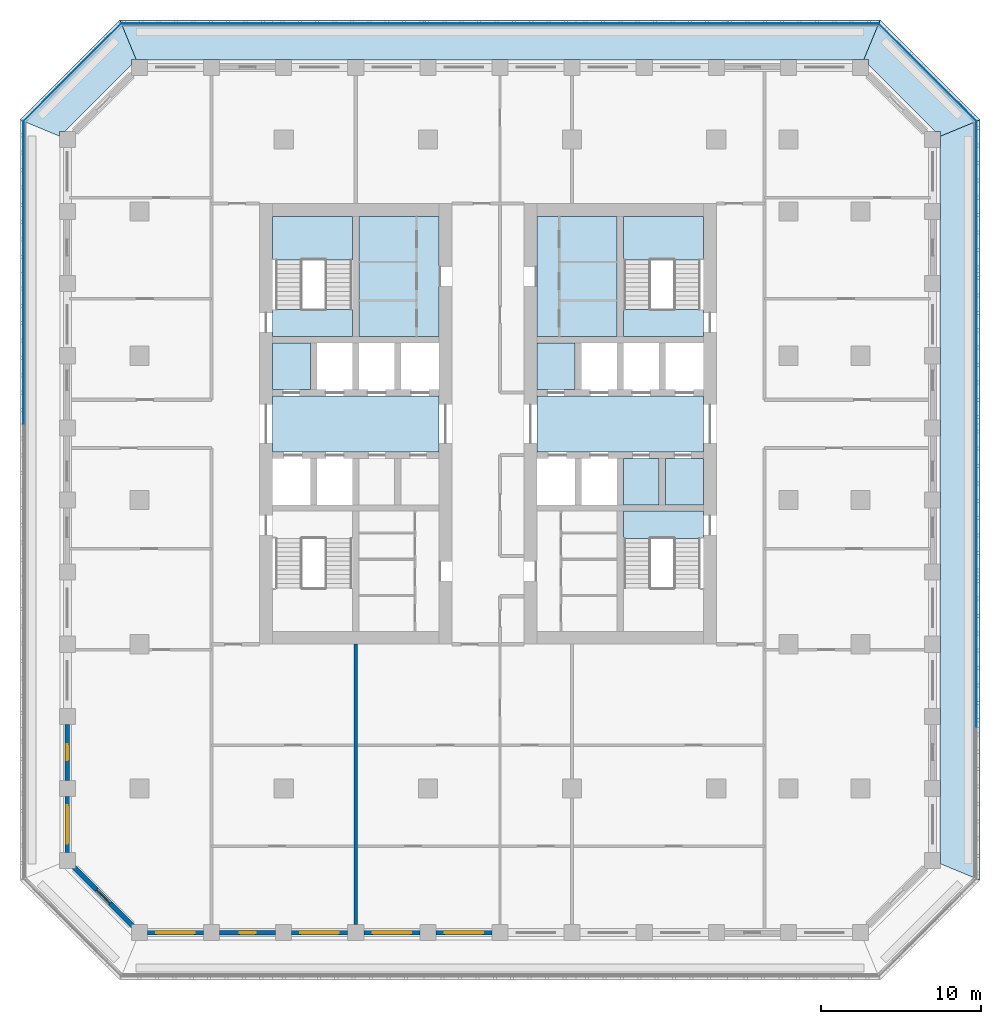
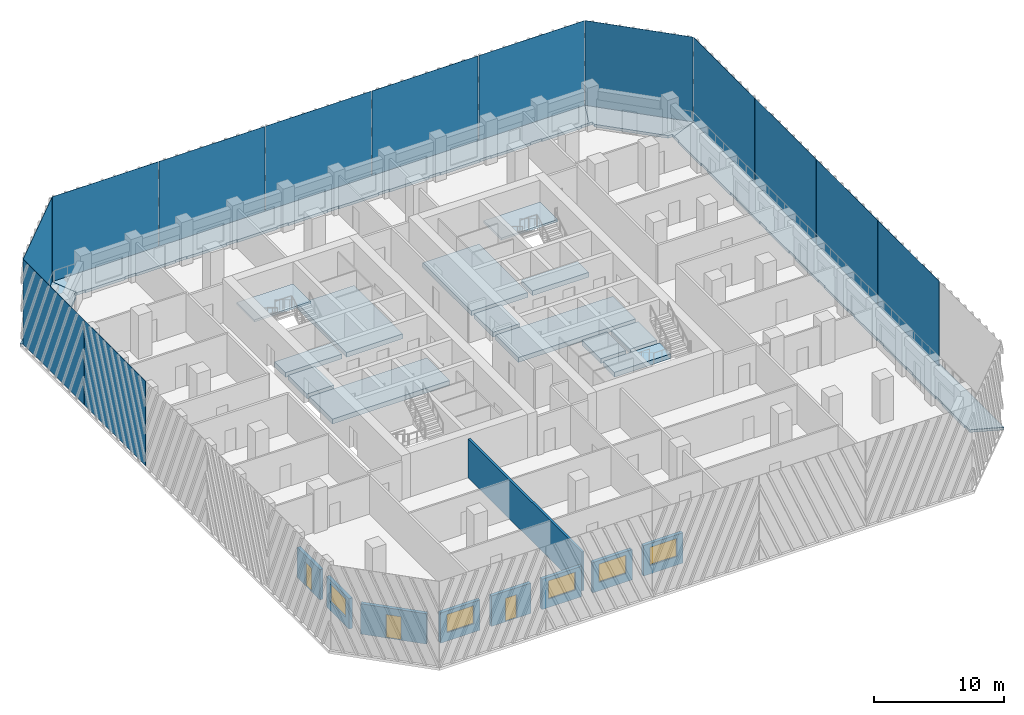
# One storey, part 2 of 17: 17 slabs, 13 plates, 9 walls, 5 windows, 3 doors, 8 openings, 2 elements without a shape of their own.
"""IFC4 building model written with IfcOpenShell, lengths in metres."""

from ifc_helpers import new_model, si_unit, direction, frame, frame_2d, origin, origin_2d, place, context, subcontext, project, spatial, polyline, rectangle, outline, extrude, material, layer, layer_set, type_object, element, fill, aggregate, save


model = new_model("IFC4")

# Units and contexts
model_context = context("Model", 3, precision=1e-05, world=origin(), true_north=direction((0.0, 1.0)))
body_context = subcontext(model_context, "Body", "Model", "MODEL_VIEW")
ifc_project = project(units=[si_unit("LENGTHUNIT", "METRE"), si_unit("AREAUNIT", "SQUARE_METRE"), si_unit("VOLUMEUNIT", "CUBIC_METRE"), si_unit("PLANEANGLEUNIT", "RADIAN"), si_unit("MASSUNIT", "GRAM", prefix="KILO")], contexts=[model_context])

# Site, building, storey
site_placement = place(None, origin())
site = spatial("IfcSite", under=ifc_project, at=site_placement, CompositionType="ELEMENT")
building_placement = place(site_placement, origin())
building = spatial("IfcBuilding", under=site, at=building_placement, Name="Corbel Stack Research Tower", CompositionType="ELEMENT")
storey_placement = place(building_placement, frame((0.0, 0.0, 207.89990234375)))
storey = spatial("IfcBuildingStorey", under=building, at=storey_placement, Name="L47", CompositionType="ELEMENT", Elevation=207.89990234375)

# Plates
ifc_material_1 = material(Name="Fritted glass", Category="glass")
ifc_layer_1 = layer(ifc_material_1, 0.02490234375)
ifc_layer_set_1 = layer_set([ifc_layer_1], Name="Fritted glass")
plate_type = type_object("IfcPlateType", Name="Fritted glass panel 25", PredefinedType="SHEET", material=ifc_layer_set_1)
for number, where, z_axis, x_axis, name in (
    (1, (34.237548828125, -9.45556640625, 0.0), (0.0, 0.0, 1.0), (0.0, 1.0, 0.0), "Fritted glass L47 E2"),
    (2, (34.237548828125, 0.0, 0.0), (0.0, 0.0, 1.0), (0.0, 1.0, 0.0), "Fritted glass L47 E3"),
    (3, (34.237548828125, 9.45556640625, 0.0), (0.0, 0.0, 1.0), (0.0, 1.0, 0.0), "Fritted glass L47 E4"),
    (4, (34.237548828125, 18.911376953125, 0.0), (0.0, 0.0, 1.0), (0.0, 1.0, 0.0), "Fritted glass L47 E5"),
):
    element("IfcPlate", number, at=place(storey_placement, frame(where, z_axis=z_axis, x_axis=x_axis)), inside=storey, type_object=plate_type, Name=name, PredefinedType="SHEET", context=body_context, shape_type="SweptSolid", body=[
        extrude(rectangle(XDim=9.3955078125, YDim=0.02490234375, at=origin_2d()), origin(), (0.0, 0.0, 1.0), 7.949951171875),
    ])
plate_1_placement = place(storey_placement, frame((31.185791015625, 26.685791015625, 0.0), z_axis=(0.0, 0.0, 1.0), x_axis=(-0.707106781187, 0.707106781187, 0.0)))
element("IfcPlate", 5, at=plate_1_placement, inside=storey, type_object=plate_type, Name="Fritted glass L47 NE1", PredefinedType="SHEET", context=body_context, shape_type="SweptSolid", body=[
    extrude(rectangle(XDim=8.58203125, YDim=0.02490234375, at=origin_2d()), origin(), (0.0, 0.0, 1.0), 7.949951171875),
])
for number, where, z_axis, x_axis, name in (
    (6, (23.411376953125, 29.737548828125, 0.0), (0.0, 0.0, 1.0), (-1.0, 0.0, 0.0), "Fritted glass L47 N1"),
    (7, (13.95556640625, 29.737548828125, 0.0), (0.0, 0.0, 1.0), (-1.0, 0.0, 0.0), "Fritted glass L47 N2"),
    (8, (4.5, 29.737548828125, 0.0), (0.0, 0.0, 1.0), (-1.0, 0.0, 0.0), "Fritted glass L47 N3"),
    (9, (-4.95556640625, 29.737548828125, 0.0), (0.0, 0.0, 1.0), (-1.0, 0.0, 0.0), "Fritted glass L47 N4"),
    (10, (-14.411376953125, 29.737548828125, 0.0), (0.0, 0.0, 1.0), (-1.0, 0.0, 0.0), "Fritted glass L47 N5"),
):
    element("IfcPlate", number, at=place(storey_placement, frame(where, z_axis=z_axis, x_axis=x_axis)), inside=storey, type_object=plate_type, Name=name, PredefinedType="SHEET", context=body_context, shape_type="SweptSolid", body=[
        extrude(rectangle(XDim=9.3955078125, YDim=0.02490234375, at=origin_2d()), origin(), (0.0, 0.0, 1.0), 7.949951171875),
    ])
plate_2_placement = place(storey_placement, frame((-22.185791015625, 26.685791015625, 0.0), z_axis=(0.0, 0.0, 1.0), x_axis=(-0.707106781187, -0.707106781187, 0.0)))
element("IfcPlate", 11, at=plate_2_placement, inside=storey, type_object=plate_type, Name="Fritted glass L47 NW1", PredefinedType="SHEET", context=body_context, shape_type="SweptSolid", body=[
    extrude(rectangle(XDim=8.58203125, YDim=0.02490234375, at=origin_2d()), origin(), (0.0, 0.0, 1.0), 7.949951171875),
])
for number, where, z_axis, x_axis, name in (
    (12, (-25.237548828125, 18.911376953125, 0.0), (0.0, 0.0, 1.0), (0.0, -1.0, 0.0), "Fritted glass L47 W1"),
    (13, (-25.237548828125, 9.45556640625, 0.0), (0.0, 0.0, 1.0), (0.0, -1.0, 0.0), "Fritted glass L47 W2"),
):
    element("IfcPlate", number, at=place(storey_placement, frame(where, z_axis=z_axis, x_axis=x_axis)), inside=storey, type_object=plate_type, Name=name, PredefinedType="SHEET", context=body_context, shape_type="SweptSolid", body=[
        extrude(rectangle(XDim=9.3955078125, YDim=0.02490234375, at=origin_2d()), origin(), (0.0, 0.0, 1.0), 7.949951171875),
    ])

# Slabs
ifc_material_2 = material(Name="Concrete C45/55", Category="concrete")
ifc_layer_2 = layer(ifc_material_2, 0.25)
ifc_layer_set_2 = layer_set([ifc_layer_2], Name="Concrete C45/55")
slab_type_1 = type_object("IfcSlabType", Name="PT balcony slab 250 C45/55", PredefinedType="FLOOR", material=ifc_layer_set_2)
slab_1_placement = place(storey_placement, frame((0.0, 0.0, -0.25)))
element("IfcSlab", 14, at=slab_1_placement, inside=storey, type_object=slab_type_1, Name="Loggia slab L47 E", PredefinedType="FLOOR", context=body_context, shape_type="SweptSolid", body=[
    extrude(outline(polyline([(32.0, 22.70703125), (32.0, 22.0), (31.949951171875, 22.0), (31.949951171875, 18.5), (32.0, 18.5), (32.0, 17.5), (31.949951171875, 17.5), (31.949951171875, 14.0), (32.0, 14.0), (32.0, 13.0), (31.949951171875, 13.0), (31.949951171875, 9.5), (32.0, 9.5), (32.0, 8.5), (31.949951171875, 8.5), (31.949951171875, 5.0), (32.0, 5.0), (32.0, 4.0), (31.949951171875, 4.0), (31.949951171875, 0.5), (32.0, 0.5), (32.0, -0.5), (31.949951171875, -0.5), (31.949951171875, -4.0), (32.0, -4.0), (32.0, -5.0), (31.949951171875, -5.0), (31.949951171875, -8.5), (32.0, -8.5), (32.0, -9.5), (31.949951171875, -9.5), (31.949951171875, -13.0), (32.0, -13.0), (32.0, -14.0), (31.949951171875, -14.0), (31.949951171875, -17.5), (32.0, -17.5), (32.0, -18.5), (31.949951171875, -18.5), (31.949951171875, -22.0), (32.0, -22.0), (32.0, -22.70703125), (34.449951171875, -23.721923828125), (34.449951171875, 23.721923828125), (32.0, 22.70703125)])), origin(), (0.0, 0.0, 1.0), 0.25),
])
slab_2_placement = place(storey_placement, frame((0.0, 0.0, -0.25)))
element("IfcSlab", 15, at=slab_2_placement, inside=storey, type_object=slab_type_1, Name="Loggia slab L47 NE", PredefinedType="FLOOR", context=body_context, shape_type="SweptSolid", body=[
    extrude(outline(polyline([(27.20703125, 27.5), (27.5, 27.5), (27.5, 27.136474609375), (31.636474609375, 23.0), (32.0, 23.0), (32.0, 22.70703125), (34.449951171875, 23.721923828125), (28.221923828125, 29.949951171875), (27.20703125, 27.5)])), origin(), (0.0, 0.0, 1.0), 0.25),
])
slab_3_placement = place(storey_placement, frame((0.0, 0.0, -0.25)))
element("IfcSlab", 16, at=slab_3_placement, inside=storey, type_object=slab_type_1, Name="Loggia slab L47 N", PredefinedType="FLOOR", context=body_context, shape_type="SweptSolid", body=[
    extrude(outline(polyline([(-18.20703125, 27.5), (-17.5, 27.5), (-17.5, 27.449951171875), (-14.0, 27.449951171875), (-14.0, 27.5), (-13.0, 27.5), (-13.0, 27.449951171875), (-9.5, 27.449951171875), (-9.5, 27.5), (-8.5, 27.5), (-8.5, 27.449951171875), (-5.0, 27.449951171875), (-5.0, 27.5), (-4.0, 27.5), (-4.0, 27.449951171875), (-0.5, 27.449951171875), (-0.5, 27.5), (0.5, 27.5), (0.5, 27.449951171875), (4.0, 27.449951171875), (4.0, 27.5), (5.0, 27.5), (5.0, 27.449951171875), (8.5, 27.449951171875), (8.5, 27.5), (9.5, 27.5), (9.5, 27.449951171875), (13.0, 27.449951171875), (13.0, 27.5), (14.0, 27.5), (14.0, 27.449951171875), (17.5, 27.449951171875), (17.5, 27.5), (18.5, 27.5), (18.5, 27.449951171875), (22.0, 27.449951171875), (22.0, 27.5), (23.0, 27.5), (23.0, 27.449951171875), (26.5, 27.449951171875), (26.5, 27.5), (27.20703125, 27.5), (28.221923828125, 29.949951171875), (-19.221923828125, 29.949951171875), (-18.20703125, 27.5)])), origin(), (0.0, 0.0, 1.0), 0.25),
])
slab_4_placement = place(storey_placement, frame((0.0, 0.0, -0.25)))
element("IfcSlab", 17, at=slab_4_placement, inside=storey, type_object=slab_type_1, Name="Loggia slab L47 NW", PredefinedType="FLOOR", context=body_context, shape_type="SweptSolid", body=[
    extrude(outline(polyline([(-23.0, 22.70703125), (-23.0, 23.0), (-22.636474609375, 23.0), (-18.5, 27.136474609375), (-18.5, 27.5), (-18.20703125, 27.5), (-19.221923828125, 29.949951171875), (-25.449951171875, 23.721923828125), (-23.0, 22.70703125)])), origin(), (0.0, 0.0, 1.0), 0.25),
])
ifc_material_3 = material(Name="Concrete C45/55", Category="concrete")
ifc_layer_3 = layer(ifc_material_3, 0.449951171875)
ifc_layer_set_3 = layer_set([ifc_layer_3], Name="Concrete C45/55")
slab_type_2 = type_object("IfcSlabType", Name="PT-450", PredefinedType="FLOOR", material=ifc_layer_set_3)
slab_5_placement = place(storey_placement, frame((0.0, 0.0, -0.449951171875)))
element("IfcSlab", 18, at=slab_5_placement, inside=storey, type_object=slab_type_2, Name="West core floor L47", PredefinedType="FLOOR", context=body_context, shape_type="SweptSolid", body=[
    extrude(outline(polyline([(0.699951171875, 6.5), (-9.699951171875, 6.5), (-9.699951171875, 3.0), (0.699951171875, 3.0), (0.699951171875, 6.5)])), origin(), (0.0, 0.0, 1.0), 0.449951171875),
])
slab_6_placement = place(storey_placement, frame((0.0, 0.0, -0.449951171875)))
element("IfcSlab", 19, at=slab_6_placement, inside=storey, type_object=slab_type_2, Name="West core floor L47", PredefinedType="FLOOR", context=body_context, shape_type="SweptSolid", body=[
    extrude(outline(polyline([(-9.699951171875, 6.89990234375), (-7.324951171875, 6.89990234375), (-7.324951171875, 9.800048828125), (-9.699951171875, 9.800048828125), (-9.699951171875, 6.89990234375)])), origin(), (0.0, 0.0, 1.0), 0.449951171875),
])
slab_7_placement = place(storey_placement, frame((0.0, 0.0, -0.449951171875)))
element("IfcSlab", 20, at=slab_7_placement, inside=storey, type_object=slab_type_2, Name="West core floor L47", PredefinedType="FLOOR", context=body_context, shape_type="SweptSolid", body=[
    extrude(outline(polyline([(0.699951171875, 17.699951171875), (-4.300048828125, 17.699951171875), (-4.300048828125, 10.199951171875), (0.699951171875, 10.199951171875), (0.699951171875, 17.699951171875)])), origin(), (0.0, 0.0, 1.0), 0.449951171875),
])
slab_8_placement = place(storey_placement, frame((0.0, 0.0, -0.449951171875)))
element("IfcSlab", 21, at=slab_8_placement, inside=storey, type_object=slab_type_2, Name="East core floor L47", PredefinedType="FLOOR", context=body_context, shape_type="SweptSolid", body=[
    extrude(outline(polyline([(17.199951171875, 6.5), (6.800048828125, 6.5), (6.800048828125, 3.0), (17.199951171875, 3.0), (17.199951171875, 6.5)])), origin(), (0.0, 0.0, 1.0), 0.449951171875),
])
slab_9_placement = place(storey_placement, frame((0.0, 0.0, -0.449951171875)))
element("IfcSlab", 22, at=slab_9_placement, inside=storey, type_object=slab_type_2, Name="East core floor L47", PredefinedType="FLOOR", context=body_context, shape_type="SweptSolid", body=[
    extrude(outline(polyline([(6.800048828125, 6.89990234375), (9.175048828125, 6.89990234375), (9.175048828125, 9.800048828125), (6.800048828125, 9.800048828125), (6.800048828125, 6.89990234375)])), origin(), (0.0, 0.0, 1.0), 0.449951171875),
])
slab_10_placement = place(storey_placement, frame((0.0, 0.0, -0.449951171875)))
element("IfcSlab", 23, at=slab_10_placement, inside=storey, type_object=slab_type_2, Name="East core floor L47", PredefinedType="FLOOR", context=body_context, shape_type="SweptSolid", body=[
    extrude(outline(polyline([(6.800048828125, 17.699951171875), (6.800048828125, 10.199951171875), (11.800048828125, 10.199951171875), (11.800048828125, 17.699951171875), (6.800048828125, 17.699951171875)])), origin(), (0.0, 0.0, 1.0), 0.449951171875),
])
slab_11_placement = place(storey_placement, frame((0.0, 0.0, -0.449951171875)))
element("IfcSlab", 24, at=slab_11_placement, inside=storey, type_object=slab_type_2, Name="East core floor L47", PredefinedType="FLOOR", context=body_context, shape_type="SweptSolid", body=[
    extrude(outline(polyline([(14.425048828125, -0.300048828125), (14.425048828125, 2.60009765625), (12.199951171875, 2.60009765625), (12.199951171875, -0.300048828125), (14.425048828125, -0.300048828125)])), origin(), (0.0, 0.0, 1.0), 0.449951171875),
])
slab_12_placement = place(storey_placement, frame((0.0, 0.0, -0.449951171875)))
element("IfcSlab", 25, at=slab_12_placement, inside=storey, type_object=slab_type_2, Name="East core floor L47", PredefinedType="FLOOR", context=body_context, shape_type="SweptSolid", body=[
    extrude(outline(polyline([(17.199951171875, -0.300048828125), (17.199951171875, 2.60009765625), (14.824951171875, 2.60009765625), (14.824951171875, -0.300048828125), (17.199951171875, -0.300048828125)])), origin(), (0.0, 0.0, 1.0), 0.449951171875),
])
slab_13_placement = place(storey_placement, frame((0.0, 0.0, -0.449951171875)))
element("IfcSlab", 26, at=slab_13_placement, inside=storey, type_object=slab_type_2, Name="Stair floor landing ST-W2", PredefinedType="FLOOR", context=body_context, shape_type="SweptSolid", body=[
    extrude(outline(polyline([(-9.699951171875, 10.199951171875), (-4.699951171875, 10.199951171875), (-4.699951171875, 11.89990234375), (-9.699951171875, 11.89990234375), (-9.699951171875, 10.199951171875)])), origin(), (0.0, 0.0, 1.0), 0.449951171875),
])
slab_14_placement = place(storey_placement, frame((0.0, 0.0, -0.449951171875)))
element("IfcSlab", 27, at=slab_14_placement, inside=storey, type_object=slab_type_2, Name="Stair floor landing ST-E1", PredefinedType="FLOOR", context=body_context, shape_type="SweptSolid", body=[
    extrude(outline(polyline([(12.199951171875, -2.39990234375), (17.199951171875, -2.39990234375), (17.199951171875, -0.699951171875), (12.199951171875, -0.699951171875), (12.199951171875, -2.39990234375)])), origin(), (0.0, 0.0, 1.0), 0.449951171875),
])
slab_15_placement = place(storey_placement, frame((0.0, 0.0, -0.449951171875)))
element("IfcSlab", 28, at=slab_15_placement, inside=storey, type_object=slab_type_2, Name="Stair floor landing ST-E2", PredefinedType="FLOOR", context=body_context, shape_type="SweptSolid", body=[
    extrude(outline(polyline([(12.199951171875, 10.199951171875), (17.199951171875, 10.199951171875), (17.199951171875, 11.89990234375), (12.199951171875, 11.89990234375), (12.199951171875, 10.199951171875)])), origin(), (0.0, 0.0, 1.0), 0.449951171875),
])

# Stair, slab
ifc_material_4 = material(Name="Concrete C40/50", Category="concrete")
stair_type = type_object("IfcStairType", Name="Exit stair 24 risers", PredefinedType="HALF_TURN_STAIR", material=ifc_material_4)
stair_1_placement = place(storey_placement, origin())
stair_1 = element("IfcStair", 29, at=stair_1_placement, inside=storey, type_object=stair_type, Name="L47 Exit stair ST-W2", PredefinedType="HALF_TURN_STAIR")
ifc_material_5 = material(Name="Concrete C40/50", Category="concrete")
ifc_layer_4 = layer(ifc_material_5, 0.199951171875)
ifc_layer_set_4 = layer_set([ifc_layer_4], Name="Concrete C40/50")
slab_type_3 = type_object("IfcSlabType", Name="Stair landing 200 C40/50", PredefinedType="LANDING", material=ifc_layer_set_4)
slab_16_placement = place(storey_placement, frame((0.0, 0.0, 1.85009765625)))
slab_16 = element("IfcSlab", 30, at=slab_16_placement, type_object=slab_type_3, Name="ST-W2 landing 1", PredefinedType="LANDING", context=body_context, shape_type="SweptSolid", body=[
    extrude(outline(polyline([(-9.699951171875, 14.97998046875), (-9.699951171875, 17.699951171875), (-4.699951171875, 17.699951171875), (-4.699951171875, 14.97998046875), (-9.699951171875, 14.97998046875)])), origin(), (0.0, 0.0, 1.0), 0.199951171875),
])
aggregate(stair_1, [slab_16])

stair_2_placement = place(storey_placement, origin())
stair_2 = element("IfcStair", 31, at=stair_2_placement, inside=storey, type_object=stair_type, Name="L47 Exit stair ST-E2", PredefinedType="HALF_TURN_STAIR")
slab_17_placement = place(storey_placement, frame((0.0, 0.0, 1.85009765625)))
slab_17 = element("IfcSlab", 32, at=slab_17_placement, type_object=slab_type_3, Name="ST-E2 landing 1", PredefinedType="LANDING", context=body_context, shape_type="SweptSolid", body=[
    extrude(outline(polyline([(12.199951171875, 14.97998046875), (12.199951171875, 17.699951171875), (17.199951171875, 17.699951171875), (17.199951171875, 14.97998046875), (12.199951171875, 14.97998046875)])), origin(), (0.0, 0.0, 1.0), 0.199951171875),
])
aggregate(stair_2, [slab_17])

# Wall
ifc_material_6 = material(Name="Fire-rated gypsum board partition on steel studs", Category="steel")
ifc_layer_5 = layer(ifc_material_6, 0.199951171875)
ifc_layer_set_5 = layer_set([ifc_layer_5], Name="Fire-rated gypsum board partition on steel studs")
wall_type_1 = type_object("IfcWallType", Name="Fire-rated partition 200 EI 60", PredefinedType="PARTITIONING", material=ifc_layer_set_5)
wall_1_placement = place(storey_placement, frame((-4.5, -26.5, 0.0), z_axis=(0.0, 0.0, 1.0), x_axis=(0.0, 1.0, 0.0)))
element("IfcWall", 33, at=wall_1_placement, inside=storey, type_object=wall_type_1, Name="Partition L47-003", PredefinedType="PARTITIONING", context=body_context, shape_type="SweptSolid", body=[
    extrude(rectangle(XDim=17.5, YDim=0.199951171875, at=frame_2d((8.75, 0.0))), origin(), (0.0, 0.0, 1.0), 3.650146484375),
])

# Wall, opening, window
ifc_material_7 = material(Name="Concrete C45/55", Category="concrete")
ifc_layer_6 = layer(ifc_material_7, 0.300048828125)
ifc_layer_set_6 = layer_set([ifc_layer_6], Name="Concrete C45/55")
wall_type_2 = type_object("IfcWallType", Name="Terracotta-faced concrete wall 300", PredefinedType="SOLIDWALL", material=ifc_layer_set_6)
wall_2_placement = place(storey_placement, frame((-14.0, -27.0, 0.0), z_axis=(0.0, 0.0, 1.0), x_axis=(-1.0, 0.0, 0.0)))
wall_2 = element("IfcWall", 34, at=wall_2_placement, inside=storey, type_object=wall_type_2, Name="Facade wall L47 S01", PredefinedType="SOLIDWALL", context=body_context, shape_type="SweptSolid", body=[
    extrude(rectangle(XDim=3.5, YDim=0.300048828125, at=frame_2d((1.75, 0.0))), origin(), (0.0, 0.0, 1.0), 2.85009765625),
])
opening_1_placement = place(wall_2_placement, frame((0.550048828125, 0.0, 0.800048828125)))
opening_1 = element("IfcOpeningElement", 35, at=opening_1_placement, cuts=wall_2, Name="Opening W1", PredefinedType="OPENING", context=body_context, shape_type="SweptSolid", body=[
    extrude(rectangle(XDim=2.39990234375, YDim=1.699951171875, at=frame_2d((1.199951171875, 0.85009765625))), frame((0.0, 0.159912109375, 0.0), z_axis=(0.0, -1.0, 0.0), x_axis=(1.0, 0.0, 0.0)), (0.0, 0.0, 1.0), 0.320068359375),
])
ifc_material_8 = material(Name="Aluminium frame, clear double glazing", Category="aluminium")
window_type = type_object("IfcWindowType", Name="Window W1 2400 x 1700", PartitioningType="SINGLE_PANEL", PredefinedType="WINDOW", material=ifc_material_8)
window_1_placement = place(opening_1_placement, origin())
window_1 = element("IfcWindow", 36, at=window_1_placement, inside=storey, type_object=window_type, Name="Window W1 L47 S01", OverallHeight=1.699951171875, OverallWidth=2.39990234375, PartitioningType="SINGLE_PANEL", PredefinedType="WINDOW", context=body_context, shape_type="SweptSolid", body=[
    extrude(rectangle(XDim=2.39990234375, YDim=1.699951171875, at=frame_2d((1.199951171875, 0.85009765625))), frame((0.0, 0.030029296875, 0.0), z_axis=(0.0, -1.0, 0.0), x_axis=(1.0, 0.0, 0.0)), (0.0, 0.0, 1.0), 0.06005859375),
])
fill(opening_1, window_1)

# Wall, opening, door
wall_3_placement = place(storey_placement, frame((-9.5, -27.0, 0.0), z_axis=(0.0, 0.0, 1.0), x_axis=(-1.0, 0.0, 0.0)))
wall_3 = element("IfcWall", 37, at=wall_3_placement, inside=storey, type_object=wall_type_2, Name="Facade wall L47 S02", PredefinedType="SOLIDWALL", context=body_context, shape_type="SweptSolid", body=[
    extrude(rectangle(XDim=3.5, YDim=0.300048828125, at=frame_2d((1.75, 0.0))), origin(), (0.0, 0.0, 1.0), 2.85009765625),
])
opening_2_placement = place(wall_3_placement, frame((1.25, 0.0, 0.0)))
opening_2 = element("IfcOpeningElement", 38, at=opening_2_placement, cuts=wall_3, Name="Opening L47-B01", PredefinedType="OPENING", context=body_context, shape_type="SweptSolid", body=[
    extrude(rectangle(XDim=1.0, YDim=2.199951171875, at=frame_2d((0.5, 1.10009765625))), frame((0.0, 0.159912109375, 0.0), z_axis=(0.0, -1.0, 0.0), x_axis=(1.0, 0.0, 0.0)), (0.0, 0.0, 1.0), 0.320068359375),
])
ifc_material_9 = material(Name="Aluminium frame, clear double glazing", Category="aluminium")
door_type_1 = type_object("IfcDoorType", Name="Balcony door BD1 1000 x 2200", OperationType="NOTDEFINED", PredefinedType="DOOR", material=ifc_material_9)
door_1_placement = place(opening_2_placement, origin())
door_1 = element("IfcDoor", 39, at=door_1_placement, inside=storey, type_object=door_type_1, Name="Balcony door L47-B01", OperationType="SINGLE_SWING_LEFT", OverallHeight=2.199951171875, OverallWidth=1.0, PredefinedType="DOOR", context=body_context, shape_type="SweptSolid", body=[
    extrude(rectangle(XDim=1.0, YDim=2.199951171875, at=frame_2d((0.5, 1.10009765625))), frame((0.0, 0.02490234375, 0.0), z_axis=(0.0, -1.0, 0.0), x_axis=(1.0, 0.0, 0.0)), (0.0, 0.0, 1.0), 0.050048828125),
])
fill(opening_2, door_1)

# Wall, opening, window
wall_4_placement = place(storey_placement, frame((-5.0, -27.0, 0.0), z_axis=(0.0, 0.0, 1.0), x_axis=(-1.0, 0.0, 0.0)))
wall_4 = element("IfcWall", 40, at=wall_4_placement, inside=storey, type_object=wall_type_2, Name="Facade wall L47 S03", PredefinedType="SOLIDWALL", context=body_context, shape_type="SweptSolid", body=[
    extrude(rectangle(XDim=3.5, YDim=0.300048828125, at=frame_2d((1.75, 0.0))), origin(), (0.0, 0.0, 1.0), 2.85009765625),
])
opening_3_placement = place(wall_4_placement, frame((0.550048828125, 0.0, 0.800048828125)))
opening_3 = element("IfcOpeningElement", 41, at=opening_3_placement, cuts=wall_4, Name="Opening W1", PredefinedType="OPENING", context=body_context, shape_type="SweptSolid", body=[
    extrude(rectangle(XDim=2.39990234375, YDim=1.699951171875, at=frame_2d((1.199951171875, 0.85009765625))), frame((0.0, 0.159912109375, 0.0), z_axis=(0.0, -1.0, 0.0), x_axis=(1.0, 0.0, 0.0)), (0.0, 0.0, 1.0), 0.320068359375),
])
window_2_placement = place(opening_3_placement, origin())
window_2 = element("IfcWindow", 42, at=window_2_placement, inside=storey, type_object=window_type, Name="Window W1 L47 S03", OverallHeight=1.699951171875, OverallWidth=2.39990234375, PartitioningType="SINGLE_PANEL", PredefinedType="WINDOW", context=body_context, shape_type="SweptSolid", body=[
    extrude(rectangle(XDim=2.39990234375, YDim=1.699951171875, at=frame_2d((1.199951171875, 0.85009765625))), frame((0.0, 0.030029296875, 0.0), z_axis=(0.0, -1.0, 0.0), x_axis=(1.0, 0.0, 0.0)), (0.0, 0.0, 1.0), 0.06005859375),
])
fill(opening_3, window_2)

wall_5_placement = place(storey_placement, frame((-0.5, -27.0, 0.0), z_axis=(0.0, 0.0, 1.0), x_axis=(-1.0, 0.0, 0.0)))
wall_5 = element("IfcWall", 43, at=wall_5_placement, inside=storey, type_object=wall_type_2, Name="Facade wall L47 S04", PredefinedType="SOLIDWALL", context=body_context, shape_type="SweptSolid", body=[
    extrude(rectangle(XDim=3.5, YDim=0.300048828125, at=frame_2d((1.75, 0.0))), origin(), (0.0, 0.0, 1.0), 2.85009765625),
])
opening_4_placement = place(wall_5_placement, frame((0.550048828125, 0.0, 0.800048828125)))
opening_4 = element("IfcOpeningElement", 44, at=opening_4_placement, cuts=wall_5, Name="Opening W1", PredefinedType="OPENING", context=body_context, shape_type="SweptSolid", body=[
    extrude(rectangle(XDim=2.39990234375, YDim=1.699951171875, at=frame_2d((1.199951171875, 0.85009765625))), frame((0.0, 0.159912109375, 0.0), z_axis=(0.0, -1.0, 0.0), x_axis=(1.0, 0.0, 0.0)), (0.0, 0.0, 1.0), 0.320068359375),
])
window_3_placement = place(opening_4_placement, origin())
window_3 = element("IfcWindow", 45, at=window_3_placement, inside=storey, type_object=window_type, Name="Window W1 L47 S04", OverallHeight=1.699951171875, OverallWidth=2.39990234375, PartitioningType="SINGLE_PANEL", PredefinedType="WINDOW", context=body_context, shape_type="SweptSolid", body=[
    extrude(rectangle(XDim=2.39990234375, YDim=1.699951171875, at=frame_2d((1.199951171875, 0.85009765625))), frame((0.0, 0.030029296875, 0.0), z_axis=(0.0, -1.0, 0.0), x_axis=(1.0, 0.0, 0.0)), (0.0, 0.0, 1.0), 0.06005859375),
])
fill(opening_4, window_3)

wall_6_placement = place(storey_placement, frame((4.0, -27.0, 0.0), z_axis=(0.0, 0.0, 1.0), x_axis=(-1.0, 0.0, 0.0)))
wall_6 = element("IfcWall", 46, at=wall_6_placement, inside=storey, type_object=wall_type_2, Name="Facade wall L47 S05", PredefinedType="SOLIDWALL", context=body_context, shape_type="SweptSolid", body=[
    extrude(rectangle(XDim=3.5, YDim=0.300048828125, at=frame_2d((1.75, 0.0))), origin(), (0.0, 0.0, 1.0), 2.85009765625),
])
opening_5_placement = place(wall_6_placement, frame((0.550048828125, 0.0, 0.800048828125)))
opening_5 = element("IfcOpeningElement", 47, at=opening_5_placement, cuts=wall_6, Name="Opening W1", PredefinedType="OPENING", context=body_context, shape_type="SweptSolid", body=[
    extrude(rectangle(XDim=2.39990234375, YDim=1.699951171875, at=frame_2d((1.199951171875, 0.85009765625))), frame((0.0, 0.159912109375, 0.0), z_axis=(0.0, -1.0, 0.0), x_axis=(1.0, 0.0, 0.0)), (0.0, 0.0, 1.0), 0.320068359375),
])
window_4_placement = place(opening_5_placement, origin())
window_4 = element("IfcWindow", 48, at=window_4_placement, inside=storey, type_object=window_type, Name="Window W1 L47 S05", OverallHeight=1.699951171875, OverallWidth=2.39990234375, PartitioningType="SINGLE_PANEL", PredefinedType="WINDOW", context=body_context, shape_type="SweptSolid", body=[
    extrude(rectangle(XDim=2.39990234375, YDim=1.699951171875, at=frame_2d((1.199951171875, 0.85009765625))), frame((0.0, 0.030029296875, 0.0), z_axis=(0.0, -1.0, 0.0), x_axis=(1.0, 0.0, 0.0)), (0.0, 0.0, 1.0), 0.06005859375),
])
fill(opening_5, window_4)

# Wall, opening, door
wall_7_placement = place(storey_placement, frame((-22.5, -17.5, 0.0), z_axis=(0.0, 0.0, 1.0), x_axis=(0.0, 1.0, 0.0)))
wall_7 = element("IfcWall", 49, at=wall_7_placement, inside=storey, type_object=wall_type_2, Name="Facade wall L47 W09", PredefinedType="SOLIDWALL", context=body_context, shape_type="SweptSolid", body=[
    extrude(rectangle(XDim=3.5, YDim=0.300048828125, at=frame_2d((1.75, 0.0))), origin(), (0.0, 0.0, 1.0), 2.85009765625),
])
opening_6_placement = place(wall_7_placement, frame((1.25, 0.0, 0.0)))
opening_6 = element("IfcOpeningElement", 50, at=opening_6_placement, cuts=wall_7, Name="Opening L47-B11", PredefinedType="OPENING", context=body_context, shape_type="SweptSolid", body=[
    extrude(rectangle(XDim=1.0, YDim=2.199951171875, at=frame_2d((0.5, 1.10009765625))), frame((0.0, 0.159912109375, 0.0), z_axis=(0.0, -1.0, 0.0), x_axis=(1.0, 0.0, 0.0)), (0.0, 0.0, 1.0), 0.320068359375),
])
door_2_placement = place(opening_6_placement, origin())
door_2 = element("IfcDoor", 51, at=door_2_placement, inside=storey, type_object=door_type_1, Name="Balcony door L47-B11", OperationType="SINGLE_SWING_RIGHT", OverallHeight=2.199951171875, OverallWidth=1.0, PredefinedType="DOOR", context=body_context, shape_type="SweptSolid", body=[
    extrude(rectangle(XDim=1.0, YDim=2.199951171875, at=frame_2d((0.5, 1.10009765625))), frame((0.0, 0.02490234375, 0.0), z_axis=(0.0, -1.0, 0.0), x_axis=(1.0, 0.0, 0.0)), (0.0, 0.0, 1.0), 0.050048828125),
])
fill(opening_6, door_2)

# Wall, opening, window
wall_8_placement = place(storey_placement, frame((-22.5, -22.0, 0.0), z_axis=(0.0, 0.0, 1.0), x_axis=(0.0, 1.0, 0.0)))
wall_8 = element("IfcWall", 52, at=wall_8_placement, inside=storey, type_object=wall_type_2, Name="Facade wall L47 W10", PredefinedType="SOLIDWALL", context=body_context, shape_type="SweptSolid", body=[
    extrude(rectangle(XDim=3.5, YDim=0.300048828125, at=frame_2d((1.75, 0.0))), origin(), (0.0, 0.0, 1.0), 2.85009765625),
])
opening_7_placement = place(wall_8_placement, frame((0.550048828125, 0.0, 0.800048828125)))
opening_7 = element("IfcOpeningElement", 53, at=opening_7_placement, cuts=wall_8, Name="Opening W1", PredefinedType="OPENING", context=body_context, shape_type="SweptSolid", body=[
    extrude(rectangle(XDim=2.39990234375, YDim=1.699951171875, at=frame_2d((1.199951171875, 0.85009765625))), frame((0.0, 0.159912109375, 0.0), z_axis=(0.0, -1.0, 0.0), x_axis=(1.0, 0.0, 0.0)), (0.0, 0.0, 1.0), 0.320068359375),
])
window_5_placement = place(opening_7_placement, origin())
window_5 = element("IfcWindow", 54, at=window_5_placement, inside=storey, type_object=window_type, Name="Window W1 L47 W10", OverallHeight=1.699951171875, OverallWidth=2.39990234375, PartitioningType="SINGLE_PANEL", PredefinedType="WINDOW", context=body_context, shape_type="SweptSolid", body=[
    extrude(rectangle(XDim=2.39990234375, YDim=1.699951171875, at=frame_2d((1.199951171875, 0.85009765625))), frame((0.0, 0.030029296875, 0.0), z_axis=(0.0, -1.0, 0.0), x_axis=(1.0, 0.0, 0.0)), (0.0, 0.0, 1.0), 0.06005859375),
])
fill(opening_7, window_5)

# Wall, opening, door
wall_9_placement = place(storey_placement, frame((-18.393798828125, -26.606201171875, 0.0), z_axis=(0.0, 0.0, 1.0), x_axis=(-0.707106781187, 0.707106781187, 0.0)))
wall_9 = element("IfcWall", 55, at=wall_9_placement, inside=storey, type_object=wall_type_2, Name="Facade wall L47 SW01", PredefinedType="SOLIDWALL", context=body_context, shape_type="SweptSolid", body=[
    extrude(rectangle(XDim=5.250244140625, YDim=0.300048828125, at=frame_2d((2.625, 0.0))), origin(), (0.0, 0.0, 1.0), 2.85009765625),
])
opening_8_placement = place(wall_9_placement, frame((2.02490234375, 0.0, 0.0)))
opening_8 = element("IfcOpeningElement", 56, at=opening_8_placement, cuts=wall_9, Name="Opening L47-B12", PredefinedType="OPENING", context=body_context, shape_type="SweptSolid", body=[
    extrude(rectangle(XDim=1.199951171875, YDim=2.199951171875, at=frame_2d((0.60009765625, 1.10009765625))), frame((0.0, 0.159912109375, 0.0), z_axis=(0.0, -1.0, 0.0), x_axis=(1.0, 0.0, 0.0)), (0.0, 0.0, 1.0), 0.320068359375),
])
ifc_material_10 = material(Name="Aluminium frame, clear double glazing", Category="aluminium")
door_type_2 = type_object("IfcDoorType", Name="Balcony door BD2 1200 x 2200", OperationType="NOTDEFINED", PredefinedType="DOOR", material=ifc_material_10)
door_3_placement = place(opening_8_placement, origin())
door_3 = element("IfcDoor", 57, at=door_3_placement, inside=storey, type_object=door_type_2, Name="Balcony door L47-B12", OperationType="SINGLE_SWING_RIGHT", OverallHeight=2.199951171875, OverallWidth=1.199951171875, PredefinedType="DOOR", context=body_context, shape_type="SweptSolid", body=[
    extrude(rectangle(XDim=1.199951171875, YDim=2.199951171875, at=frame_2d((0.60009765625, 1.10009765625))), frame((0.0, 0.02490234375, 0.0), z_axis=(0.0, -1.0, 0.0), x_axis=(1.0, 0.0, 0.0)), (0.0, 0.0, 1.0), 0.050048828125),
])
fill(opening_8, door_3)

save(model, "model.ifc")
